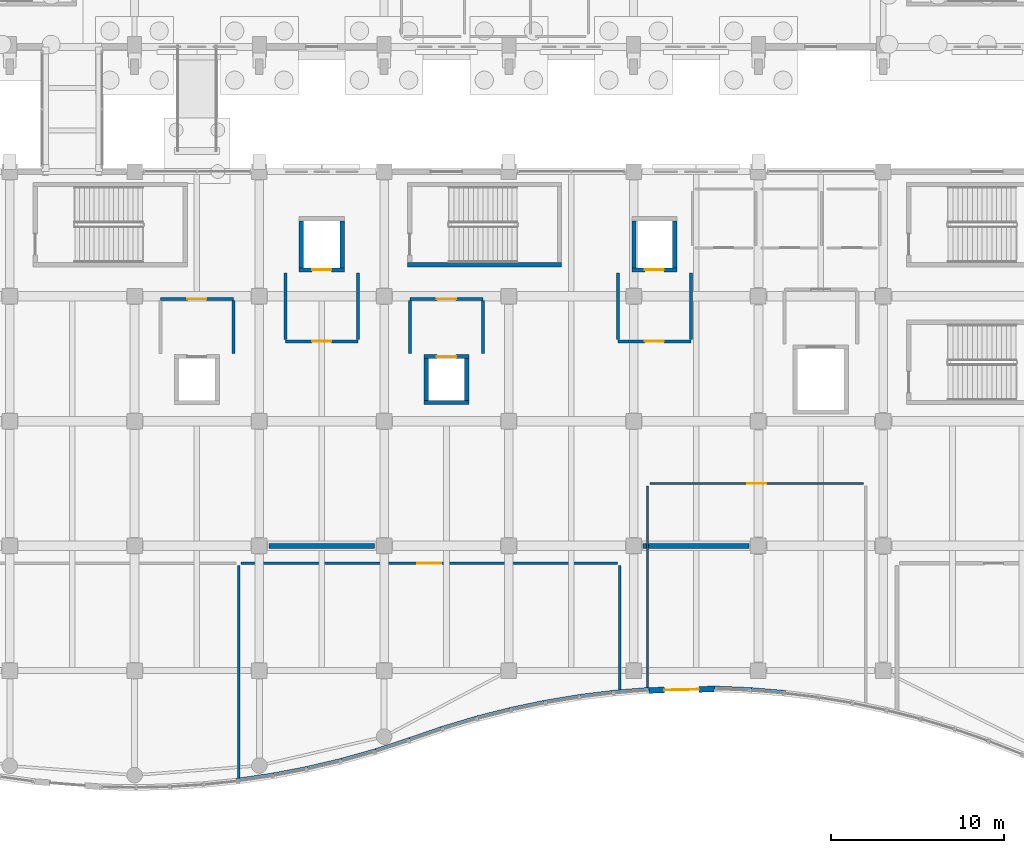
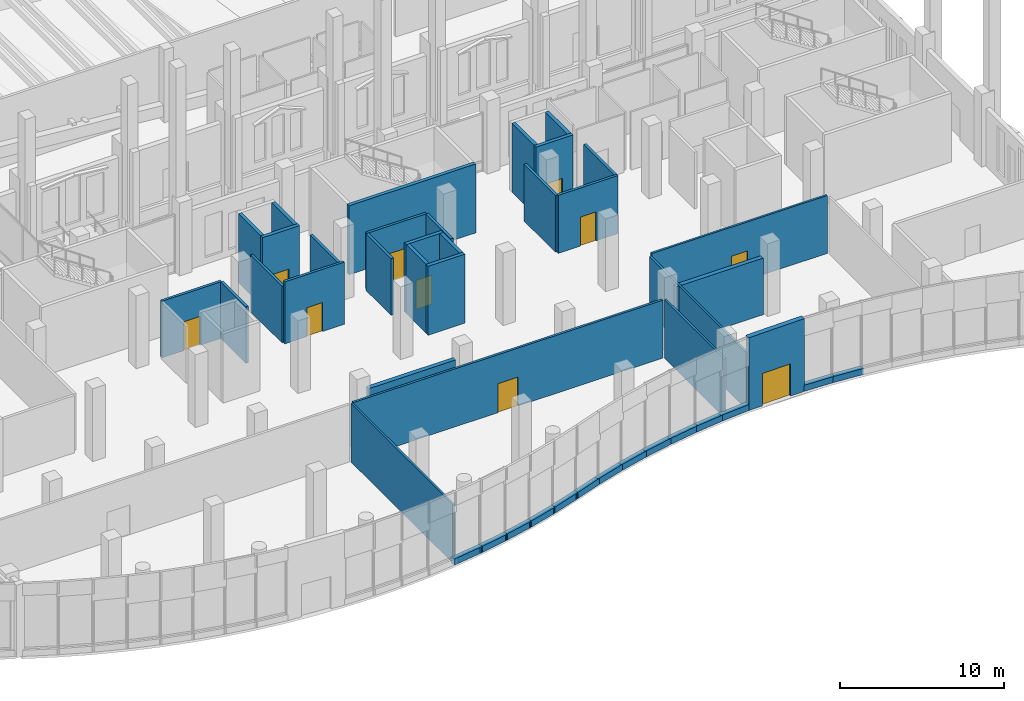
# One storey, part 139 of 192: 44 walls, 10 doors, 10 openings.
"""IFC4 building model written with IfcOpenShell, lengths in metres."""

from ifc_helpers import new_model, si_unit, direction, frame, frame_2d, origin, place, context, subcontext, project, spatial, rectangle, extrude, material, layer, layer_set, type_object, element, fill, save


model = new_model("IFC4")

# Units and contexts
model_context = context("Model", 3, precision=1e-05, world=origin(), true_north=direction((0.0, 1.0)))
body_context = subcontext(model_context, "Body", "Model", "MODEL_VIEW")
ifc_project = project(units=[si_unit("LENGTHUNIT", "METRE"), si_unit("AREAUNIT", "SQUARE_METRE"), si_unit("VOLUMEUNIT", "CUBIC_METRE"), si_unit("PLANEANGLEUNIT", "RADIAN"), si_unit("MASSUNIT", "GRAM", prefix="KILO")], contexts=[model_context])

# Site, building, storey
site_placement = place(None, origin())
site = spatial("IfcSite", under=ifc_project, at=site_placement, CompositionType="ELEMENT")
building_placement = place(site_placement, origin())
building = spatial("IfcBuilding", under=site, at=building_placement, Name="Cendralis Lancet Convention Centre", CompositionType="ELEMENT")
storey_placement = place(building_placement, origin())
storey = spatial("IfcBuildingStorey", under=building, at=storey_placement, Name="L00", CompositionType="ELEMENT", Elevation=0.0)

# Walls
ifc_material_1 = material(Name="Buff sandstone ashlar and Concrete G40 (C40/50)", Category="masonry")
ifc_layer_1 = layer(ifc_material_1, 0.340087890625, Name="Buff sandstone ashlar and Concrete G40 (C40/50)")
ifc_layer_set_1 = layer_set([ifc_layer_1], Name="Buff sandstone ashlar and Concrete G40 (C40/50)")
wall_type_1 = type_object("IfcWallType", Name="ARC-EW-W340", PredefinedType="STANDARD", material=ifc_layer_set_1)
wall_1_placement = place(storey_placement, frame((159.48486328125, 0.816650390625, 0.0), z_axis=(0.0, 0.0, 1.0), x_axis=(0.989332324203, 0.145676189844, 0.0)))
element("IfcWall", 1, at=wall_1_placement, inside=storey, type_object=wall_type_1, Name="South Wave Stone Plinth WP-081-WP-082", PredefinedType="STANDARD", context=body_context, shape_type="SweptSolid", body=[
    extrude(rectangle(XDim=2.16015625, YDim=0.340087890625, at=frame_2d((1.080078125, 0.0))), origin(), (0.0, 0.0, 1.0), 0.449951171875),
])
wall_2_placement = place(storey_placement, frame((161.45458984375, 1.10302734375, 0.0), z_axis=(0.0, 0.0, 1.0), x_axis=(0.982343477653, 0.187086322089, 0.0)))
element("IfcWall", 2, at=wall_2_placement, inside=storey, type_object=wall_type_1, Name="South Wave Stone Plinth WP-082-WP-083", PredefinedType="STANDARD", context=body_context, shape_type="SweptSolid", body=[
    extrude(rectangle(XDim=2.17529296875, YDim=0.340087890625, at=frame_2d((1.087646484375, 0.0))), origin(), (0.0, 0.0, 1.0), 0.449951171875),
])
wall_3_placement = place(storey_placement, frame((163.42529296875, 1.474609375, 0.0), z_axis=(0.0, 0.0, 1.0), x_axis=(0.973669248069, 0.227965338076, 0.0)))
element("IfcWall", 3, at=wall_3_placement, inside=storey, type_object=wall_type_1, Name="South Wave Stone Plinth WP-083-WP-084", PredefinedType="STANDARD", context=body_context, shape_type="SweptSolid", body=[
    extrude(rectangle(XDim=2.192138671875, YDim=0.340087890625, at=frame_2d((1.09619140625, 0.0))), origin(), (0.0, 0.0, 1.0), 0.449951171875),
])
wall_4_placement = place(storey_placement, frame((165.39501953125, 1.93212890625, 0.0), z_axis=(0.0, 0.0, 1.0), x_axis=(0.963137862503, 0.269008285772, 0.0)))
element("IfcWall", 4, at=wall_4_placement, inside=storey, type_object=wall_type_1, Name="South Wave Stone Plinth WP-084-WP-085", PredefinedType="STANDARD", context=body_context, shape_type="SweptSolid", body=[
    extrude(rectangle(XDim=2.21435546875, YDim=0.340087890625, at=frame_2d((1.107177734375, 0.0))), origin(), (0.0, 0.0, 1.0), 0.449951171875),
])
wall_5_placement = place(storey_placement, frame((167.365234375, 2.478759765625, 0.0), z_axis=(0.0, 0.0, 1.0), x_axis=(0.950754268652, 0.309945673692, 0.0)))
element("IfcWall", 5, at=wall_5_placement, inside=storey, type_object=wall_type_1, Name="South Wave Stone Plinth WP-085-WP-086", PredefinedType="STANDARD", context=body_context, shape_type="SweptSolid", body=[
    extrude(rectangle(XDim=2.240966796875, YDim=0.340087890625, at=frame_2d((1.12060546875, 0.0))), origin(), (0.0, 0.0, 1.0), 0.449951171875),
])
wall_6_placement = place(storey_placement, frame((169.334716796875, 3.119384765625, 0.0), z_axis=(0.0, 0.0, 1.0), x_axis=(0.945416720516, 0.325863812916, 0.0)))
element("IfcWall", 6, at=wall_6_placement, inside=storey, type_object=wall_type_1, Name="South Wave Stone Plinth WP-086-WP-087", PredefinedType="STANDARD", context=body_context, shape_type="SweptSolid", body=[
    extrude(rectangle(XDim=2.253662109375, YDim=0.340087890625, at=frame_2d((1.126953125, 0.0))), origin(), (0.0, 0.0, 1.0), 0.449951171875),
])
wall_7_placement = place(storey_placement, frame((171.3037109375, 3.801513671875, 0.0), z_axis=(0.0, 0.0, 1.0), x_axis=(0.957895707977, 0.287116374731, 0.0)))
element("IfcWall", 7, at=wall_7_placement, inside=storey, type_object=wall_type_1, Name="South Wave Stone Plinth WP-087-WP-088", PredefinedType="STANDARD", context=body_context, shape_type="SweptSolid", body=[
    extrude(rectangle(XDim=2.225341796875, YDim=0.340087890625, at=frame_2d((1.11279296875, 0.0))), origin(), (0.0, 0.0, 1.0), 0.449951171875),
])
wall_8_placement = place(storey_placement, frame((173.271484375, 4.39501953125, 0.0), z_axis=(0.0, 0.0, 1.0), x_axis=(0.969229089559, 0.246160459767, 0.0)))
element("IfcWall", 8, at=wall_8_placement, inside=storey, type_object=wall_type_1, Name="South Wave Stone Plinth WP-088-WP-089", PredefinedType="STANDARD", context=body_context, shape_type="SweptSolid", body=[
    extrude(rectangle(XDim=2.201904296875, YDim=0.340087890625, at=frame_2d((1.10107421875, 0.0))), origin(), (0.0, 0.0, 1.0), 0.449951171875),
])
wall_9_placement = place(storey_placement, frame((175.23974609375, 4.898681640625, 0.0), z_axis=(0.0, 0.0, 1.0), x_axis=(0.978807841966, 0.20478087925, 0.0)))
element("IfcWall", 9, at=wall_9_placement, inside=storey, type_object=wall_type_1, Name="South Wave Stone Plinth WP-089-WP-090", PredefinedType="STANDARD", context=body_context, shape_type="SweptSolid", body=[
    extrude(rectangle(XDim=2.181640625, YDim=0.340087890625, at=frame_2d((1.0908203125, 0.0))), origin(), (0.0, 0.0, 1.0), 0.449951171875),
])
wall_10_placement = place(storey_placement, frame((177.2080078125, 5.314208984375, 0.0), z_axis=(0.0, 0.0, 1.0), x_axis=(0.986512410096, 0.163686483027, 0.0)))
element("IfcWall", 10, at=wall_10_placement, inside=storey, type_object=wall_type_1, Name="South Wave Stone Plinth WP-090-WP-091", PredefinedType="STANDARD", context=body_context, shape_type="SweptSolid", body=[
    extrude(rectangle(XDim=2.167236328125, YDim=0.340087890625, at=frame_2d((1.08349609375, 0.0))), origin(), (0.0, 0.0, 1.0), 0.449951171875),
])
wall_11_placement = place(storey_placement, frame((179.177490234375, 5.64453125, 0.0), z_axis=(0.0, 0.0, 1.0), x_axis=(0.992466764456, 0.122514168366, 0.0)))
element("IfcWall", 11, at=wall_11_placement, inside=storey, type_object=wall_type_1, Name="South Wave Stone Plinth WP-091-WP-092", PredefinedType="STANDARD", context=body_context, shape_type="SweptSolid", body=[
    extrude(rectangle(XDim=2.154052734375, YDim=0.340087890625, at=frame_2d((1.0771484375, 0.0))), origin(), (0.0, 0.0, 1.0), 0.449951171875),
])
wall_12_placement = place(storey_placement, frame((181.146240234375, 5.89111328125, 0.0), z_axis=(0.0, 0.0, 1.0), x_axis=(0.996638509986, 0.081924846123, 0.0)))
element("IfcWall", 12, at=wall_12_placement, inside=storey, type_object=wall_type_1, Name="South Wave Stone Plinth WP-092-WP-093", PredefinedType="STANDARD", context=body_context, shape_type="SweptSolid", body=[
    extrude(rectangle(XDim=2.145751953125, YDim=0.340087890625, at=frame_2d((1.07275390625, 0.0))), origin(), (0.0, 0.0, 1.0), 0.449951171875),
])

# Wall, opening, door
wall_13_placement = place(storey_placement, frame((183.199951171875, 6.06005859375, 0.0), z_axis=(0.0, 0.0, 1.0), x_axis=(0.999794570441, 0.020268619004, 0.0)))
wall_13 = element("IfcWall", 13, at=wall_13_placement, inside=storey, type_object=wall_type_1, Name="Boulevard Wave Entrance Portal Wall WP-093-WP-095", PredefinedType="STANDARD", context=body_context, shape_type="SweptSolid", body=[
    extrude(rectangle(XDim=3.938720703125, YDim=0.340087890625, at=frame_2d((1.96923828125, 0.0))), origin(), (0.0, 0.0, 1.0), 5.39990234375),
])
opening_1_placement = place(wall_13_placement, frame((0.969482421875, 0.0, 0.0)))
opening_1 = element("IfcOpeningElement", 14, at=opening_1_placement, cuts=wall_13, Name="Opening EX-D2", PredefinedType="OPENING", context=body_context, shape_type="SweptSolid", body=[
    extrude(rectangle(XDim=2.0, YDim=2.39990234375, at=frame_2d((1.0, 1.199951171875))), frame((0.0, 0.179931640625, 0.0), z_axis=(0.0, -1.0, 0.0), x_axis=(1.0, 0.0, 0.0)), (0.0, 0.0, 1.0), 0.360107421875),
])
ifc_material_2 = material(Name="Anodised bronze architectural aluminium", Category="aluminium")
door_type_1 = type_object("IfcDoorType", Name="ARC-DR-EX20", OperationType="NOTDEFINED", PredefinedType="DOOR", material=ifc_material_2)
door_1_placement = place(opening_1_placement, frame((2.0, 0.0, 0.0), z_axis=(0.0, 0.0, 1.0), x_axis=(-1.0, 0.0, 0.0)))
door_1 = element("IfcDoor", 15, at=door_1_placement, inside=storey, type_object=door_type_1, Name="L00-D007 Pedestrian Final Exit Door EX-07 #007", OperationType="DOUBLE_DOOR_SINGLE_SWING", OverallHeight=2.39990234375, OverallWidth=2.0, PredefinedType="DOOR", context=body_context, shape_type="SweptSolid", body=[
    extrude(rectangle(XDim=2.0, YDim=2.39990234375, at=frame_2d((1.0, 1.199951171875))), frame((0.0, 0.02490234375, 0.0), z_axis=(0.0, -1.0, 0.0), x_axis=(1.0, 0.0, 0.0)), (0.0, 0.0, 1.0), 0.050048828125),
])
fill(opening_1, door_1)

# Walls
wall_14_placement = place(storey_placement, frame((187.052978515625, 6.1435546875, 0.0), z_axis=(0.0, 0.0, 1.0), x_axis=(0.999134060604, -0.041606837663, 0.0)))
element("IfcWall", 16, at=wall_14_placement, inside=storey, type_object=wall_type_1, Name="South Wave Stone Plinth WP-095-WP-096", PredefinedType="STANDARD", context=body_context, shape_type="SweptSolid", body=[
    extrude(rectangle(XDim=2.141845703125, YDim=0.340087890625, at=frame_2d((1.07080078125, 0.0))), origin(), (0.0, 0.0, 1.0), 0.449951171875),
])
wall_15_placement = place(storey_placement, frame((189.023193359375, 6.06494140625, 0.0), z_axis=(0.0, 0.0, 1.0), x_axis=(0.996591899747, -0.082489910642, 0.0)))
element("IfcWall", 17, at=wall_15_placement, inside=storey, type_object=wall_type_1, Name="South Wave Stone Plinth WP-096-WP-097", PredefinedType="STANDARD", context=body_context, shape_type="SweptSolid", body=[
    extrude(rectangle(XDim=2.145751953125, YDim=0.340087890625, at=frame_2d((1.07275390625, 0.0))), origin(), (0.0, 0.0, 1.0), 0.449951171875),
])
ifc_material_3 = material(Name="Acoustic fire-rated gypsum board on steel studs", Category="steel")
ifc_layer_2 = layer(ifc_material_3, 0.139892578125, Name="Acoustic fire-rated gypsum board on steel studs")
ifc_layer_set_2 = layer_set([ifc_layer_2], Name="Acoustic fire-rated gypsum board on steel studs")
wall_type_2 = type_object("IfcWallType", Name="ARC-IW-P140", PredefinedType="PARTITIONING", material=ifc_layer_set_2)
wall_16_placement = place(storey_placement, frame((183.199951171875, 6.1201171875, 0.0), z_axis=(0.0, 0.0, 1.0), x_axis=(0.0, 1.0, 0.0)))
element("IfcWall", 18, at=wall_16_placement, inside=storey, type_object=wall_type_2, Name="L00 Interior Partition IW-04 #0348", PredefinedType="PARTITIONING", context=body_context, shape_type="SweptSolid", body=[
    extrude(rectangle(XDim=11.739990234375, YDim=0.139892578125, at=frame_2d((5.8701171875, 0.0))), origin(), (0.0, 0.0, 1.0), 4.205078125),
])

# Wall, opening, door
wall_17_placement = place(storey_placement, frame((183.340087890625, 18.0, 0.0), z_axis=(0.0, 0.0, 1.0), x_axis=(1.0, 0.0, 0.0)))
wall_17 = element("IfcWall", 19, at=wall_17_placement, inside=storey, type_object=wall_type_2, Name="L00 Interior Partition IW-04 #0349", PredefinedType="PARTITIONING", context=body_context, shape_type="SweptSolid", body=[
    extrude(rectangle(XDim=12.31982421875, YDim=0.139892578125, at=frame_2d((6.159912109375, 0.0))), origin(), (0.0, 0.0, 1.0), 4.304931640625),
])
opening_2_placement = place(wall_17_placement, frame((5.610107421875, 0.0, 0.0)))
opening_2 = element("IfcOpeningElement", 20, at=opening_2_placement, cuts=wall_17, Name="Opening FD-11", PredefinedType="OPENING", context=body_context, shape_type="SweptSolid", body=[
    extrude(rectangle(XDim=1.10009765625, YDim=2.14990234375, at=frame_2d((0.550048828125, 1.074951171875))), frame((0.0, 0.079833984375, 0.0), z_axis=(0.0, -1.0, 0.0), x_axis=(1.0, 0.0, 0.0)), (0.0, 0.0, 1.0), 0.159912109375),
])
ifc_material_4 = material(Name="Steel S355", Category="steel")
door_type_2 = type_object("IfcDoorType", Name="ARC-DR-FF11", OperationType="NOTDEFINED", PredefinedType="DOOR", material=ifc_material_4)
door_2_placement = place(opening_2_placement, frame((1.10009765625, 0.0, 0.0), z_axis=(0.0, 0.0, 1.0), x_axis=(-1.0, 0.0, 0.0)))
door_2 = element("IfcDoor", 21, at=door_2_placement, inside=storey, type_object=door_type_2, Name="L00-D083 L00 Interior Door FD-11 #0117", OperationType="SINGLE_SWING_LEFT", OverallHeight=2.14990234375, OverallWidth=1.10009765625, PredefinedType="DOOR", context=body_context, shape_type="SweptSolid", body=[
    extrude(rectangle(XDim=1.10009765625, YDim=2.14990234375, at=frame_2d((0.550048828125, 1.074951171875))), frame((0.0, 0.02490234375, 0.0), z_axis=(0.0, -1.0, 0.0), x_axis=(1.0, 0.0, 0.0)), (0.0, 0.0, 1.0), 0.050048828125),
])
fill(opening_2, door_2)

# Walls
wall_18_placement = place(storey_placement, frame((159.60009765625, 0.892578125, 0.0), z_axis=(0.0, 0.0, 1.0), x_axis=(0.0, 1.0, 0.0)))
element("IfcWall", 22, at=wall_18_placement, inside=storey, type_object=wall_type_2, Name="L00 Interior Partition IW-04 #0352", PredefinedType="PARTITIONING", context=body_context, shape_type="SweptSolid", body=[
    extrude(rectangle(XDim=12.367431640625, YDim=0.139892578125, at=frame_2d((6.18359375, 0.0))), origin(), (0.0, 0.0, 1.0), 4.35498046875),
])
wall_19_placement = place(storey_placement, frame((181.60009765625, 5.9951171875, 0.0), z_axis=(0.0, 0.0, 1.0), x_axis=(0.0, 1.0, 0.0)))
element("IfcWall", 23, at=wall_19_placement, inside=storey, type_object=wall_type_2, Name="L00 Interior Partition IW-04 #0354", PredefinedType="PARTITIONING", context=body_context, shape_type="SweptSolid", body=[
    extrude(rectangle(XDim=7.264892578125, YDim=0.139892578125, at=frame_2d((3.63232421875, 0.0))), origin(), (0.0, 0.0, 1.0), 4.35498046875),
])

# Wall, opening, door
ifc_layer_3 = layer(ifc_material_3, 0.159912109375, Name="Acoustic fire-rated gypsum board on steel studs")
ifc_layer_set_3 = layer_set([ifc_layer_3], Name="Acoustic fire-rated gypsum board on steel studs")
wall_type_3 = type_object("IfcWallType", Name="ARC-IW-P160", PredefinedType="PARTITIONING", material=ifc_layer_set_3)
wall_20_placement = place(storey_placement, frame((159.739990234375, 13.39990234375, 0.0), z_axis=(0.0, 0.0, 1.0), x_axis=(1.0, 0.0, 0.0)))
wall_20 = element("IfcWall", 24, at=wall_20_placement, inside=storey, type_object=wall_type_3, Name="L00 Interior Partition IW-03 #0353", PredefinedType="PARTITIONING", context=body_context, shape_type="SweptSolid", body=[
    extrude(rectangle(XDim=21.719970703125, YDim=0.159912109375, at=frame_2d((10.85986328125, 0.0))), origin(), (0.0, 0.0, 1.0), 4.304931640625),
])
opening_3_placement = place(wall_20_placement, frame((10.159912109375, 0.0, 0.0)))
opening_3 = element("IfcOpeningElement", 25, at=opening_3_placement, cuts=wall_20, Name="Opening ID-14", PredefinedType="OPENING", context=body_context, shape_type="SweptSolid", body=[
    extrude(rectangle(XDim=1.39990234375, YDim=2.14990234375, at=frame_2d((0.699951171875, 1.074951171875))), frame((0.0, 0.08984375, 0.0), z_axis=(0.0, -1.0, 0.0), x_axis=(1.0, 0.0, 0.0)), (0.0, 0.0, 1.0), 0.179931640625),
])
ifc_material_5 = material(Name="Acoustic Chilean lenga timber and steel fire leaf", Category="steel")
door_type_3 = type_object("IfcDoorType", Name="ARC-DR-DB14", OperationType="NOTDEFINED", PredefinedType="DOOR", material=ifc_material_5)
door_3_placement = place(opening_3_placement, frame((1.39990234375, 0.0, 0.0), z_axis=(0.0, 0.0, 1.0), x_axis=(-1.0, 0.0, 0.0)))
door_3 = element("IfcDoor", 26, at=door_3_placement, inside=storey, type_object=door_type_3, Name="L00-D085 L00 Interior Door ID-14 #0119", OperationType="DOUBLE_DOOR_SINGLE_SWING", OverallHeight=2.14990234375, OverallWidth=1.39990234375, PredefinedType="DOOR", context=body_context, shape_type="SweptSolid", body=[
    extrude(rectangle(XDim=1.39990234375, YDim=2.14990234375, at=frame_2d((0.699951171875, 1.074951171875))), frame((0.0, 0.02490234375, 0.0), z_axis=(0.0, -1.0, 0.0), x_axis=(1.0, 0.0, 0.0)), (0.0, 0.0, 1.0), 0.050048828125),
])
fill(opening_3, door_3)

ifc_layer_4 = layer(ifc_material_3, 0.179931640625, Name="Acoustic fire-rated gypsum board on steel studs")
ifc_layer_set_4 = layer_set([ifc_layer_4], Name="Acoustic fire-rated gypsum board on steel studs")
wall_type_4 = type_object("IfcWallType", Name="ARC-IW-P180", PredefinedType="PARTITIONING", material=ifc_layer_set_4)
wall_21_placement = place(storey_placement, frame((166.5, 26.199951171875, 0.0), z_axis=(0.0, 0.0, 1.0), x_axis=(-1.0, 0.0, 0.0)))
wall_21 = element("IfcWall", 27, at=wall_21_placement, inside=storey, type_object=wall_type_4, Name="L00 Firefighting Lift Lobby LF-01 Front Wall", PredefinedType="PARTITIONING", context=body_context, shape_type="SweptSolid", body=[
    extrude(rectangle(XDim=4.199951171875, YDim=0.179931640625, at=frame_2d((2.10009765625, 0.0))), origin(), (0.0, 0.0, 1.0), 4.60498046875),
])
opening_4_placement = place(wall_21_placement, frame((1.550048828125, 0.0, 0.0)))
opening_4 = element("IfcOpeningElement", 28, at=opening_4_placement, cuts=wall_21, Name="Opening FD-11", PredefinedType="OPENING", context=body_context, shape_type="SweptSolid", body=[
    extrude(rectangle(XDim=1.10009765625, YDim=2.14990234375, at=frame_2d((0.550048828125, 1.074951171875))), frame((0.0, 0.099853515625, 0.0), z_axis=(0.0, -1.0, 0.0), x_axis=(1.0, 0.0, 0.0)), (0.0, 0.0, 1.0), 0.199951171875),
])
door_4_placement = place(opening_4_placement, origin())
door_4 = element("IfcDoor", 29, at=door_4_placement, inside=storey, type_object=door_type_2, Name="L00-D104 L00 Lift Lobby LF-01 Fire Door", OperationType="SINGLE_SWING_LEFT", OverallHeight=2.14990234375, OverallWidth=1.10009765625, PredefinedType="DOOR", context=body_context, shape_type="SweptSolid", body=[
    extrude(rectangle(XDim=1.10009765625, YDim=2.14990234375, at=frame_2d((0.550048828125, 1.074951171875))), frame((0.0, 0.02490234375, 0.0), z_axis=(0.0, -1.0, 0.0), x_axis=(1.0, 0.0, 0.0)), (0.0, 0.0, 1.0), 0.050048828125),
])
fill(opening_4, door_4)

# Walls
for number, where, z_axis, x_axis, name in (
    (30, (162.300048828125, 26.300048828125, 0.0), (0.0, 0.0, 1.0), (0.0, 1.0, 0.0), "L00 Lift Lobby LF-01 West Wall"),
    (31, (166.5, 26.300048828125, 0.0), (0.0, 0.0, 1.0), (0.0, 1.0, 0.0), "L00 Lift Lobby LF-01 East Wall"),
):
    element("IfcWall", number, at=place(storey_placement, frame(where, z_axis=z_axis, x_axis=x_axis)), inside=storey, type_object=wall_type_4, Name=name, PredefinedType="PARTITIONING", context=body_context, shape_type="SweptSolid", body=[
        extrude(rectangle(XDim=3.849853515625, YDim=0.179931640625, at=frame_2d((1.9248046875, 0.0))), origin(), (0.0, 0.0, 1.0), 4.205078125),
    ])

# Wall, opening, door
wall_22_placement = place(storey_placement, frame((185.699951171875, 26.199951171875, 0.0), z_axis=(0.0, 0.0, 1.0), x_axis=(-1.0, 0.0, 0.0)))
wall_22 = element("IfcWall", 32, at=wall_22_placement, inside=storey, type_object=wall_type_4, Name="L00 Firefighting Lift Lobby LF-02 Front Wall", PredefinedType="PARTITIONING", context=body_context, shape_type="SweptSolid", body=[
    extrude(rectangle(XDim=4.199951171875, YDim=0.179931640625, at=frame_2d((2.10009765625, 0.0))), origin(), (0.0, 0.0, 1.0), 4.304931640625),
])
opening_5_placement = place(wall_22_placement, frame((1.550048828125, 0.0, 0.0)))
opening_5 = element("IfcOpeningElement", 33, at=opening_5_placement, cuts=wall_22, Name="Opening FD-11", PredefinedType="OPENING", context=body_context, shape_type="SweptSolid", body=[
    extrude(rectangle(XDim=1.10009765625, YDim=2.14990234375, at=frame_2d((0.550048828125, 1.074951171875))), frame((0.0, 0.099853515625, 0.0), z_axis=(0.0, -1.0, 0.0), x_axis=(1.0, 0.0, 0.0)), (0.0, 0.0, 1.0), 0.199951171875),
])
door_5_placement = place(opening_5_placement, origin())
door_5 = element("IfcDoor", 34, at=door_5_placement, inside=storey, type_object=door_type_2, Name="L00-D105 L00 Lift Lobby LF-02 Fire Door", OperationType="SINGLE_SWING_RIGHT", OverallHeight=2.14990234375, OverallWidth=1.10009765625, PredefinedType="DOOR", context=body_context, shape_type="SweptSolid", body=[
    extrude(rectangle(XDim=1.10009765625, YDim=2.14990234375, at=frame_2d((0.550048828125, 1.074951171875))), frame((0.0, 0.02490234375, 0.0), z_axis=(0.0, -1.0, 0.0), x_axis=(1.0, 0.0, 0.0)), (0.0, 0.0, 1.0), 0.050048828125),
])
fill(opening_5, door_5)

# Walls
for number, where, z_axis, x_axis, name in (
    (35, (181.5, 26.300048828125, 0.0), (0.0, 0.0, 1.0), (0.0, 1.0, 0.0), "L00 Lift Lobby LF-02 West Wall"),
    (36, (185.699951171875, 26.300048828125, 0.0), (0.0, 0.0, 1.0), (0.0, 1.0, 0.0), "L00 Lift Lobby LF-02 East Wall"),
):
    element("IfcWall", number, at=place(storey_placement, frame(where, z_axis=z_axis, x_axis=x_axis)), inside=storey, type_object=wall_type_4, Name=name, PredefinedType="PARTITIONING", context=body_context, shape_type="SweptSolid", body=[
        extrude(rectangle(XDim=3.849853515625, YDim=0.179931640625, at=frame_2d((1.9248046875, 0.0))), origin(), (0.0, 0.0, 1.0), 4.205078125),
    ])

# Wall, opening, door
wall_23_placement = place(storey_placement, frame((155.10009765625, 28.64990234375, 0.0), z_axis=(0.0, 0.0, 1.0), x_axis=(1.0, 0.0, 0.0)))
wall_23 = element("IfcWall", 37, at=wall_23_placement, inside=storey, type_object=wall_type_4, Name="L00 Lift Lobby LP-01 Front Wall", PredefinedType="PARTITIONING", context=body_context, shape_type="SweptSolid", body=[
    extrude(rectangle(XDim=4.199951171875, YDim=0.179931640625, at=frame_2d((2.10009765625, 0.0))), origin(), (0.0, 0.0, 1.0), 4.205078125),
])
opening_6_placement = place(wall_23_placement, frame((1.550048828125, 0.0, 0.0)))
opening_6 = element("IfcOpeningElement", 38, at=opening_6_placement, cuts=wall_23, Name="Opening FD-11", PredefinedType="OPENING", context=body_context, shape_type="SweptSolid", body=[
    extrude(rectangle(XDim=1.10009765625, YDim=2.14990234375, at=frame_2d((0.550048828125, 1.074951171875))), frame((0.0, 0.099853515625, 0.0), z_axis=(0.0, -1.0, 0.0), x_axis=(1.0, 0.0, 0.0)), (0.0, 0.0, 1.0), 0.199951171875),
])
door_6_placement = place(opening_6_placement, origin())
door_6 = element("IfcDoor", 39, at=door_6_placement, inside=storey, type_object=door_type_2, Name="L00-D110 L00 Lift Lobby LP-01 Fire Door", OperationType="SINGLE_SWING_LEFT", OverallHeight=2.14990234375, OverallWidth=1.10009765625, PredefinedType="DOOR", context=body_context, shape_type="SweptSolid", body=[
    extrude(rectangle(XDim=1.10009765625, YDim=2.14990234375, at=frame_2d((0.550048828125, 1.074951171875))), frame((0.0, 0.02490234375, 0.0), z_axis=(0.0, -1.0, 0.0), x_axis=(1.0, 0.0, 0.0)), (0.0, 0.0, 1.0), 0.050048828125),
])
fill(opening_6, door_6)

# Wall
wall_24_placement = place(storey_placement, frame((159.300048828125, 25.5, 0.0), z_axis=(0.0, 0.0, 1.0), x_axis=(0.0, 1.0, 0.0)))
element("IfcWall", 40, at=wall_24_placement, inside=storey, type_object=wall_type_4, Name="L00 Lift Lobby LP-01 East Wall", PredefinedType="PARTITIONING", context=body_context, shape_type="SweptSolid", body=[
    extrude(rectangle(XDim=3.050048828125, YDim=0.179931640625, at=frame_2d((1.52490234375, 0.0))), origin(), (0.0, 0.0, 1.0), 4.205078125),
])

# Wall, opening, door
wall_25_placement = place(storey_placement, frame((169.5, 28.64990234375, 0.0), z_axis=(0.0, 0.0, 1.0), x_axis=(1.0, 0.0, 0.0)))
wall_25 = element("IfcWall", 41, at=wall_25_placement, inside=storey, type_object=wall_type_4, Name="L00 Lift Lobby LP-02 Front Wall", PredefinedType="PARTITIONING", context=body_context, shape_type="SweptSolid", body=[
    extrude(rectangle(XDim=4.199951171875, YDim=0.179931640625, at=frame_2d((2.10009765625, 0.0))), origin(), (0.0, 0.0, 1.0), 4.205078125),
])
opening_7_placement = place(wall_25_placement, frame((1.550048828125, 0.0, 0.0)))
opening_7 = element("IfcOpeningElement", 42, at=opening_7_placement, cuts=wall_25, Name="Opening FD-11", PredefinedType="OPENING", context=body_context, shape_type="SweptSolid", body=[
    extrude(rectangle(XDim=1.10009765625, YDim=2.14990234375, at=frame_2d((0.550048828125, 1.074951171875))), frame((0.0, 0.099853515625, 0.0), z_axis=(0.0, -1.0, 0.0), x_axis=(1.0, 0.0, 0.0)), (0.0, 0.0, 1.0), 0.199951171875),
])
door_7_placement = place(opening_7_placement, origin())
door_7 = element("IfcDoor", 43, at=door_7_placement, inside=storey, type_object=door_type_2, Name="L00-D111 L00 Lift Lobby LP-02 Fire Door", OperationType="SINGLE_SWING_RIGHT", OverallHeight=2.14990234375, OverallWidth=1.10009765625, PredefinedType="DOOR", context=body_context, shape_type="SweptSolid", body=[
    extrude(rectangle(XDim=1.10009765625, YDim=2.14990234375, at=frame_2d((0.550048828125, 1.074951171875))), frame((0.0, 0.02490234375, 0.0), z_axis=(0.0, -1.0, 0.0), x_axis=(1.0, 0.0, 0.0)), (0.0, 0.0, 1.0), 0.050048828125),
])
fill(opening_7, door_7)

# Walls
for number, where, z_axis, x_axis, name in (
    (44, (169.5, 25.5, 0.0), (0.0, 0.0, 1.0), (0.0, 1.0, 0.0), "L00 Lift Lobby LP-02 West Wall"),
    (45, (173.699951171875, 25.5, 0.0), (0.0, 0.0, 1.0), (0.0, 1.0, 0.0), "L00 Lift Lobby LP-02 East Wall"),
):
    element("IfcWall", number, at=place(storey_placement, frame(where, z_axis=z_axis, x_axis=x_axis)), inside=storey, type_object=wall_type_4, Name=name, PredefinedType="PARTITIONING", context=body_context, shape_type="SweptSolid", body=[
        extrude(rectangle(XDim=3.050048828125, YDim=0.179931640625, at=frame_2d((1.52490234375, 0.0))), origin(), (0.0, 0.0, 1.0), 4.205078125),
    ])
ifc_material_6 = material(Name="Concrete G40 (C40/50)", Category="concrete")
ifc_layer_5 = layer(ifc_material_6, 0.25, Name="Concrete G40 (C40/50)")
ifc_layer_set_5 = layer_set([ifc_layer_5], Name="Concrete G40 (C40/50)")
wall_type_5 = type_object("IfcWallType", Name="STR-SW-CW250", PredefinedType="SHEAR", material=ifc_layer_set_5)
wall_26_placement = place(storey_placement, frame((169.35009765625, 30.625, 0.0), z_axis=(0.0, 0.0, 1.0), x_axis=(1.0, 0.0, 0.0)))
element("IfcWall", 46, at=wall_26_placement, inside=storey, type_object=wall_type_5, Name="L00 Stair Core ST-14 South Shear Wall", PredefinedType="SHEAR", context=body_context, shape_type="SweptSolid", body=[
    extrude(rectangle(XDim=8.89990234375, YDim=0.25, at=frame_2d((4.449951171875, 0.0))), origin(), (0.0, 0.0, 1.0), 5.1201171875),
])

# Wall, opening, door
wall_27_placement = place(storey_placement, frame((163.10009765625, 30.324951171875, 0.0), z_axis=(0.0, 0.0, 1.0), x_axis=(1.0, 0.0, 0.0)))
wall_27 = element("IfcWall", 47, at=wall_27_placement, inside=storey, type_object=wall_type_5, Name="L00 Lift LF-01 South Shaft Wall", PredefinedType="SHEAR", context=body_context, shape_type="SweptSolid", body=[
    extrude(rectangle(XDim=2.599853515625, YDim=0.25, at=frame_2d((1.2998046875, 0.0))), origin(), (0.0, 0.0, 1.0), 5.1201171875),
])
opening_8_placement = place(wall_27_placement, frame((0.75, 0.0, 0.0)))
opening_8 = element("IfcOpeningElement", 48, at=opening_8_placement, cuts=wall_27, Name="Opening LD-11", PredefinedType="OPENING", context=body_context, shape_type="SweptSolid", body=[
    extrude(rectangle(XDim=1.10009765625, YDim=2.14990234375, at=frame_2d((0.550048828125, 1.074951171875))), frame((0.0, 0.135009765625, 0.0), z_axis=(0.0, -1.0, 0.0), x_axis=(1.0, 0.0, 0.0)), (0.0, 0.0, 1.0), 0.27001953125),
])
door_type_4 = type_object("IfcDoorType", Name="ARC-DR-LD11", OperationType="NOTDEFINED", PredefinedType="DOOR", material=ifc_material_2)
door_8_placement = place(opening_8_placement, origin())
door_8 = element("IfcDoor", 49, at=door_8_placement, inside=storey, type_object=door_type_4, Name="L00-D090 L00 Lift LF-01 Sliding Landing Door", OperationType="SLIDING_TO_LEFT", OverallHeight=2.14990234375, OverallWidth=1.10009765625, PredefinedType="DOOR", context=body_context, shape_type="SweptSolid", body=[
    extrude(rectangle(XDim=1.10009765625, YDim=2.14990234375, at=frame_2d((0.550048828125, 1.074951171875))), frame((0.0, 0.02490234375, 0.0), z_axis=(0.0, -1.0, 0.0), x_axis=(1.0, 0.0, 0.0)), (0.0, 0.0, 1.0), 0.050048828125),
])
fill(opening_8, door_8)

# Walls
for number, where, z_axis, x_axis, name in (
    (50, (163.22509765625, 30.449951171875, 0.0), (0.0, 0.0, 1.0), (0.0, 1.0, 0.0), "L00 Lift LF-01 West Shaft Wall"),
    (51, (165.574951171875, 30.449951171875, 0.0), (0.0, 0.0, 1.0), (0.0, 1.0, 0.0), "L00 Lift LF-01 East Shaft Wall"),
):
    element("IfcWall", number, at=place(storey_placement, frame(where, z_axis=z_axis, x_axis=x_axis)), inside=storey, type_object=wall_type_5, Name=name, PredefinedType="SHEAR", context=body_context, shape_type="SweptSolid", body=[
        extrude(rectangle(XDim=2.699951171875, YDim=0.25, at=frame_2d((1.35009765625, 0.0))), origin(), (0.0, 0.0, 1.0), 5.1201171875),
    ])

# Wall, opening, door
wall_28_placement = place(storey_placement, frame((182.300048828125, 30.324951171875, 0.0), z_axis=(0.0, 0.0, 1.0), x_axis=(1.0, 0.0, 0.0)))
wall_28 = element("IfcWall", 52, at=wall_28_placement, inside=storey, type_object=wall_type_5, Name="L00 Lift LF-02 South Shaft Wall", PredefinedType="SHEAR", context=body_context, shape_type="SweptSolid", body=[
    extrude(rectangle(XDim=2.599853515625, YDim=0.25, at=frame_2d((1.2998046875, 0.0))), origin(), (0.0, 0.0, 1.0), 5.1201171875),
])
opening_9_placement = place(wall_28_placement, frame((0.75, 0.0, 0.0)))
opening_9 = element("IfcOpeningElement", 53, at=opening_9_placement, cuts=wall_28, Name="Opening LD-11", PredefinedType="OPENING", context=body_context, shape_type="SweptSolid", body=[
    extrude(rectangle(XDim=1.10009765625, YDim=2.14990234375, at=frame_2d((0.550048828125, 1.074951171875))), frame((0.0, 0.135009765625, 0.0), z_axis=(0.0, -1.0, 0.0), x_axis=(1.0, 0.0, 0.0)), (0.0, 0.0, 1.0), 0.27001953125),
])
door_9_placement = place(opening_9_placement, origin())
door_9 = element("IfcDoor", 54, at=door_9_placement, inside=storey, type_object=door_type_4, Name="L00-D091 L00 Lift LF-02 Sliding Landing Door", OperationType="SLIDING_TO_RIGHT", OverallHeight=2.14990234375, OverallWidth=1.10009765625, PredefinedType="DOOR", context=body_context, shape_type="SweptSolid", body=[
    extrude(rectangle(XDim=1.10009765625, YDim=2.14990234375, at=frame_2d((0.550048828125, 1.074951171875))), frame((0.0, 0.02490234375, 0.0), z_axis=(0.0, -1.0, 0.0), x_axis=(1.0, 0.0, 0.0)), (0.0, 0.0, 1.0), 0.050048828125),
])
fill(opening_9, door_9)

# Walls
for number, where, z_axis, x_axis, name in (
    (55, (182.425048828125, 30.449951171875, 0.0), (0.0, 0.0, 1.0), (0.0, 1.0, 0.0), "L00 Lift LF-02 West Shaft Wall"),
    (56, (184.77490234375, 30.449951171875, 0.0), (0.0, 0.0, 1.0), (0.0, 1.0, 0.0), "L00 Lift LF-02 East Shaft Wall"),
):
    element("IfcWall", number, at=place(storey_placement, frame(where, z_axis=z_axis, x_axis=x_axis)), inside=storey, type_object=wall_type_5, Name=name, PredefinedType="SHEAR", context=body_context, shape_type="SweptSolid", body=[
        extrude(rectangle(XDim=2.699951171875, YDim=0.25, at=frame_2d((1.35009765625, 0.0))), origin(), (0.0, 0.0, 1.0), 5.1201171875),
    ])
wall_29_placement = place(storey_placement, frame((170.300048828125, 22.675048828125, 0.0), z_axis=(0.0, 0.0, 1.0), x_axis=(1.0, 0.0, 0.0)))
element("IfcWall", 57, at=wall_29_placement, inside=storey, type_object=wall_type_5, Name="L00 Lift LP-02 South Shaft Wall", PredefinedType="SHEAR", context=body_context, shape_type="SweptSolid", body=[
    extrude(rectangle(XDim=2.599853515625, YDim=0.25, at=frame_2d((1.2998046875, 0.0))), origin(), (0.0, 0.0, 1.0), 5.1201171875),
])

# Wall, opening, door
wall_30_placement = place(storey_placement, frame((170.300048828125, 25.324951171875, 0.0), z_axis=(0.0, 0.0, 1.0), x_axis=(1.0, 0.0, 0.0)))
wall_30 = element("IfcWall", 58, at=wall_30_placement, inside=storey, type_object=wall_type_5, Name="L00 Lift LP-02 North Shaft Wall", PredefinedType="SHEAR", context=body_context, shape_type="SweptSolid", body=[
    extrude(rectangle(XDim=2.599853515625, YDim=0.25, at=frame_2d((1.2998046875, 0.0))), origin(), (0.0, 0.0, 1.0), 5.1201171875),
])
opening_10_placement = place(wall_30_placement, frame((0.75, 0.0, 0.0)))
opening_10 = element("IfcOpeningElement", 59, at=opening_10_placement, cuts=wall_30, Name="Opening LD-11", PredefinedType="OPENING", context=body_context, shape_type="SweptSolid", body=[
    extrude(rectangle(XDim=1.10009765625, YDim=2.14990234375, at=frame_2d((0.550048828125, 1.074951171875))), frame((0.0, 0.135009765625, 0.0), z_axis=(0.0, -1.0, 0.0), x_axis=(1.0, 0.0, 0.0)), (0.0, 0.0, 1.0), 0.27001953125),
])
door_10_placement = place(opening_10_placement, origin())
door_10 = element("IfcDoor", 60, at=door_10_placement, inside=storey, type_object=door_type_4, Name="L00-D097 L00 Lift LP-02 Sliding Landing Door", OperationType="SLIDING_TO_RIGHT", OverallHeight=2.14990234375, OverallWidth=1.10009765625, PredefinedType="DOOR", context=body_context, shape_type="SweptSolid", body=[
    extrude(rectangle(XDim=1.10009765625, YDim=2.14990234375, at=frame_2d((0.550048828125, 1.074951171875))), frame((0.0, 0.02490234375, 0.0), z_axis=(0.0, -1.0, 0.0), x_axis=(1.0, 0.0, 0.0)), (0.0, 0.0, 1.0), 0.050048828125),
])
fill(opening_10, door_10)

# Walls
for number, where, z_axis, x_axis, name in (
    (61, (170.425048828125, 22.800048828125, 0.0), (0.0, 0.0, 1.0), (0.0, 1.0, 0.0), "L00 Lift LP-02 West Shaft Wall"),
    (62, (172.77490234375, 22.800048828125, 0.0), (0.0, 0.0, 1.0), (0.0, 1.0, 0.0), "L00 Lift LP-02 East Shaft Wall"),
):
    element("IfcWall", number, at=place(storey_placement, frame(where, z_axis=z_axis, x_axis=x_axis)), inside=storey, type_object=wall_type_5, Name=name, PredefinedType="SHEAR", context=body_context, shape_type="SweptSolid", body=[
        extrude(rectangle(XDim=2.39990234375, YDim=0.25, at=frame_2d((1.199951171875, 0.0))), origin(), (0.0, 0.0, 1.0), 5.1201171875),
    ])
ifc_layer_6 = layer(ifc_material_6, 0.300048828125, Name="Concrete G40 (C40/50)")
ifc_layer_set_6 = layer_set([ifc_layer_6], Name="Concrete G40 (C40/50)")
wall_type_6 = type_object("IfcWallType", Name="STR-SW-CW300", PredefinedType="SHEAR", material=ifc_layer_set_6)
wall_31_placement = place(storey_placement, frame((161.35009765625, 14.39990234375, 0.0), z_axis=(0.0, 0.0, 1.0), x_axis=(1.0, 0.0, 0.0)))
element("IfcWall", 63, at=wall_31_placement, inside=storey, type_object=wall_type_6, Name="L00 Seismic Shear Wall SW-02 161", PredefinedType="SHEAR", context=body_context, shape_type="SweptSolid", body=[
    extrude(rectangle(XDim=6.099853515625, YDim=0.300048828125, at=frame_2d((3.0498046875, 0.0))), origin(), (0.0, 0.0, 1.0), 4.205078125),
])
wall_32_placement = place(storey_placement, frame((182.949951171875, 14.39990234375, 0.0), z_axis=(0.0, 0.0, 1.0), x_axis=(1.0, 0.0, 0.0)))
element("IfcWall", 64, at=wall_32_placement, inside=storey, type_object=wall_type_6, Name="L00 Seismic Shear Wall SW-02 183", PredefinedType="SHEAR", context=body_context, shape_type="SweptSolid", body=[
    extrude(rectangle(XDim=6.10009765625, YDim=0.300048828125, at=frame_2d((3.050048828125, 0.0))), origin(), (0.0, 0.0, 1.0), 4.205078125),
])

save(model, "model.ifc")
